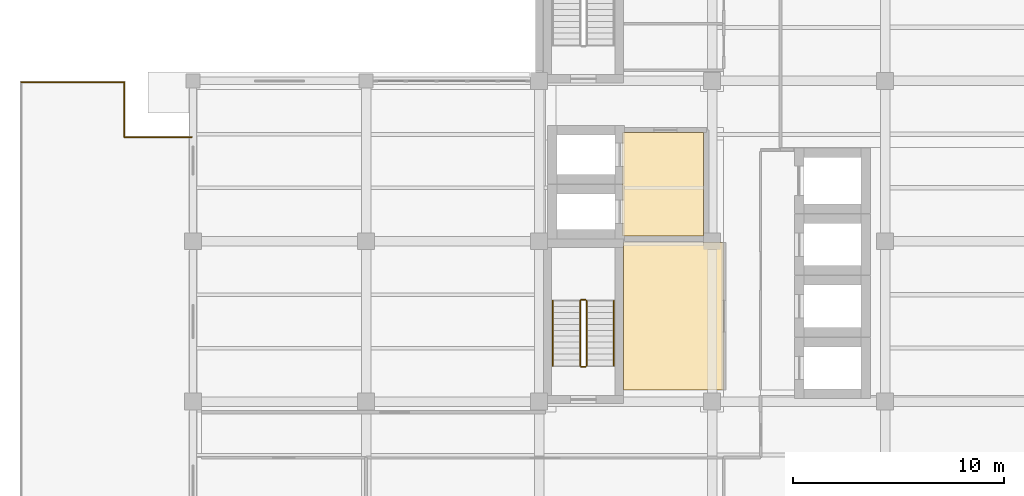
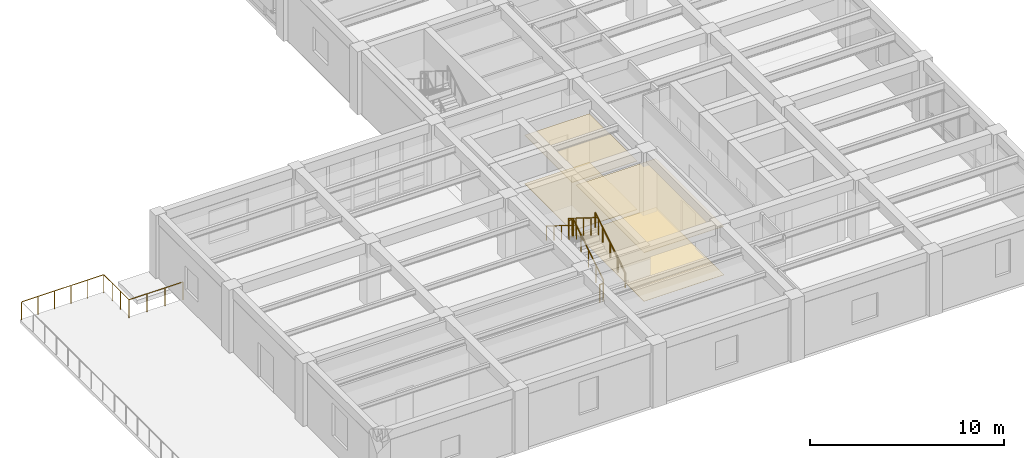
# One storey, part 11 of 14: 9 railings, 4 coverings.
"""IFC4 building model written with IfcOpenShell, lengths in metres."""

from ifc_helpers import new_model, si_unit, direction, frame, origin, origin_2d, place, context, subcontext, project, spatial, polyline, circle, outline, extrude, material, layer, layer_set, type_object, element, save


model = new_model("IFC4")

# Units and contexts
model_context = context("Model", 3, precision=1e-05, world=origin(), true_north=direction((0.0, 1.0)))
body_context = subcontext(model_context, "Body", "Model", "MODEL_VIEW")
ifc_project = project(units=[si_unit("LENGTHUNIT", "METRE"), si_unit("AREAUNIT", "SQUARE_METRE"), si_unit("VOLUMEUNIT", "CUBIC_METRE"), si_unit("PLANEANGLEUNIT", "RADIAN"), si_unit("MASSUNIT", "GRAM", prefix="KILO")], contexts=[model_context])

# Site, building, storey
site_placement = place(None, origin())
site = spatial("IfcSite", under=ifc_project, at=site_placement, CompositionType="ELEMENT")
building_placement = place(site_placement, origin())
building = spatial("IfcBuilding", under=site, at=building_placement, Name="Qandaris Square Conservatory and Botanical Centre", CompositionType="ELEMENT")
storey_placement = place(building_placement, frame((0.0, 0.0, 36.60009765625)))
storey = spatial("IfcBuildingStorey", under=building, at=storey_placement, Name="L08", CompositionType="ELEMENT", Elevation=36.60009765625)

# Coverings
ifc_material_1 = material(Name="Honed Qatari Limestone", Category="masonry")
ifc_layer_1 = layer(ifc_material_1, 0.030029296875)
ifc_layer_set_1 = layer_set([ifc_layer_1], Name="Honed Qatari Limestone")
covering_type_1 = type_object("IfcCoveringType", Name="Honed Qatari Limestone Concourse Paving", PredefinedType="FLOORING", material=ifc_layer_set_1)
covering_1_placement = place(storey_placement, origin())
element("IfcCovering", 1, at=covering_1_placement, inside=storey, type_object=covering_type_1, Name="Firefighting Lift Lobby L08 Flooring", PredefinedType="FLOORING", context=body_context, shape_type="SweptSolid", body=[
    extrude(outline(polyline([(143.14990234375, 36.949951171875), (147.0, 36.949951171875), (147.0, 32.050048828125), (143.14990234375, 32.050048828125), (143.14990234375, 36.949951171875)])), origin(), (0.0, 0.0, 1.0), 0.02978515625),
])
ifc_material_2 = material(Name="Gypsum Plasterboard", Category="gypsum")
ifc_layer_2 = layer(ifc_material_2, 0.02490234375)
ifc_layer_set_2 = layer_set([ifc_layer_2], Name="Gypsum Plasterboard")
covering_type_2 = type_object("IfcCoveringType", Name="Perforated Acoustic Lab Ceiling Tile", PredefinedType="CEILING", material=ifc_layer_set_2)
covering_2_placement = place(storey_placement, frame((0.0, 0.0, 3.0498046875)))
element("IfcCovering", 2, at=covering_2_placement, inside=storey, type_object=covering_type_2, Name="Firefighting Lift Lobby L08 Ceiling", PredefinedType="CEILING", context=body_context, shape_type="SweptSolid", body=[
    extrude(outline(polyline([(143.14990234375, 36.949951171875), (147.0, 36.949951171875), (147.0, 32.050048828125), (143.14990234375, 32.050048828125), (143.14990234375, 36.949951171875)])), origin(), (0.0, 0.0, 1.0), 0.025146484375),
])
covering_3_placement = place(storey_placement, frame((0.0, 0.0, 3.0498046875)))
element("IfcCovering", 3, at=covering_3_placement, inside=storey, type_object=covering_type_2, Name="Electrical and Telecom Riser Room L08 Ceiling", PredefinedType="CEILING", context=body_context, shape_type="SweptSolid", body=[
    extrude(outline(polyline([(147.949951171875, 31.75), (147.949951171875, 24.75), (143.199951171875, 24.75), (143.199951171875, 31.75), (147.949951171875, 31.75)])), origin(), (0.0, 0.0, 1.0), 0.025146484375),
])
ifc_material_3 = material(Name="Epoxy Resin Screed", Category="finish")
ifc_layer_3 = layer(ifc_material_3, 0.014892578125)
ifc_layer_set_3 = layer_set([ifc_layer_3], Name="Epoxy Resin Screed")
covering_type_3 = type_object("IfcCoveringType", Name="Seamless Epoxy Laboratory Flooring", PredefinedType="FLOORING", material=ifc_layer_set_3)
covering_4_placement = place(storey_placement, origin())
element("IfcCovering", 4, at=covering_4_placement, inside=storey, type_object=covering_type_3, Name="Electrical and Telecom Riser Room L08 Flooring", PredefinedType="FLOORING", context=body_context, shape_type="SweptSolid", body=[
    extrude(outline(polyline([(147.949951171875, 31.75), (147.949951171875, 24.75), (143.199951171875, 24.75), (143.199951171875, 31.75), (147.949951171875, 31.75)])), origin(), (0.0, 0.0, 1.0), 0.014892578125),
])

# Railings
ifc_material_4 = material(Name="Stainless Steel", Category="steel")
railing_type_1 = type_object("IfcRailingType", Name="Stair Tubular Handrail 920mm", PredefinedType="HANDRAIL", material=ifc_material_4)
railing_1_placement = place(storey_placement, frame((142.75, 25.89990234375, 0.349853515625)))
element("IfcRailing", 5, at=railing_1_placement, inside=storey, type_object=railing_type_1, Name="L08 ST-1 stair handrail 1", PredefinedType="HANDRAIL", context=body_context, shape_type="SweptSolid", body=[
    extrude(circle(Radius=0.02392578125, at=origin_2d()), frame((0.0, 0.0, 0.89599609375), z_axis=(0.0, 0.847998304005, 0.529998940003), x_axis=(-1.0, 0.0, 0.0)), (0.0, 0.0, 1.0), 3.632080078125),
    extrude(circle(Radius=0.02099609375, at=origin_2d()), origin(), (0.0, 0.0, 1.0), 0.871826171875),
    extrude(circle(Radius=0.02099609375, at=origin_2d()), frame((0.0, 0.77001953125, 0.481201171875)), (0.0, 0.0, 1.0), 0.871826171875),
    extrude(circle(Radius=0.02099609375, at=origin_2d()), frame((0.0, 1.5400390625, 0.96240234375)), (0.0, 0.0, 1.0), 0.871826171875),
    extrude(circle(Radius=0.02099609375, at=origin_2d()), frame((0.0, 2.31005859375, 1.44384765625)), (0.0, 0.0, 1.0), 0.871826171875),
    extrude(circle(Radius=0.02099609375, at=origin_2d()), frame((0.0, 3.080078125, 1.925048828125)), (0.0, 0.0, 1.0), 0.871826171875),
])
railing_2_placement = place(storey_placement, frame((139.85009765625, 28.97998046875, 2.449951171875)))
element("IfcRailing", 6, at=railing_2_placement, inside=storey, type_object=railing_type_1, Name="L08 ST-1 stair handrail 2", PredefinedType="HANDRAIL", context=body_context, shape_type="SweptSolid", body=[
    extrude(circle(Radius=0.02392578125, at=origin_2d()), frame((0.0, 0.0, 0.89599609375), z_axis=(0.0, -0.847998304005, 0.529998940003), x_axis=(1.0, 0.0, 0.0)), (0.0, 0.0, 1.0), 3.632080078125),
    extrude(circle(Radius=0.02099609375, at=origin_2d()), origin(), (0.0, 0.0, 1.0), 0.871826171875),
    extrude(circle(Radius=0.02099609375, at=origin_2d()), frame((0.0, -0.77001953125, 0.481201171875)), (0.0, 0.0, 1.0), 0.871826171875),
    extrude(circle(Radius=0.02099609375, at=origin_2d()), frame((0.0, -1.5400390625, 0.96240234375)), (0.0, 0.0, 1.0), 0.871826171875),
    extrude(circle(Radius=0.02099609375, at=origin_2d()), frame((0.0, -2.31005859375, 1.44384765625)), (0.0, 0.0, 1.0), 0.871826171875),
    extrude(circle(Radius=0.02099609375, at=origin_2d()), frame((0.0, -3.080078125, 1.925048828125)), (0.0, 0.0, 1.0), 0.871826171875),
])
railing_type_2 = type_object("IfcRailingType", Name="Stairwell & Atrium Guardrail 1120mm", PredefinedType="GUARDRAIL", material=ifc_material_4)
railing_3_placement = place(storey_placement, frame((141.449951171875, 25.89990234375, 0.1748046875)))
element("IfcRailing", 7, at=railing_3_placement, inside=storey, type_object=railing_type_2, Name="L08 ST-1 stair guard 1", PredefinedType="GUARDRAIL", context=body_context, shape_type="SweptSolid", body=[
    extrude(circle(Radius=0.02392578125, at=origin_2d()), frame((0.0, 0.0, 1.09619140625), z_axis=(0.0, 0.847998304005, 0.529998940003), x_axis=(-1.0, 0.0, 0.0)), (0.0, 0.0, 1.0), 3.632080078125),
    extrude(circle(Radius=0.02099609375, at=origin_2d()), origin(), (0.0, 0.0, 1.0), 1.072021484375),
    extrude(circle(Radius=0.02099609375, at=origin_2d()), frame((0.0, 0.77001953125, 0.481201171875)), (0.0, 0.0, 1.0), 1.072021484375),
    extrude(circle(Radius=0.02099609375, at=origin_2d()), frame((0.0, 1.5400390625, 0.96240234375)), (0.0, 0.0, 1.0), 1.072021484375),
    extrude(circle(Radius=0.02099609375, at=origin_2d()), frame((0.0, 2.31005859375, 1.44384765625)), (0.0, 0.0, 1.0), 1.072021484375),
    extrude(circle(Radius=0.02099609375, at=origin_2d()), frame((0.0, 3.080078125, 1.925048828125)), (0.0, 0.0, 1.0), 1.072021484375),
])
railing_4_placement = place(storey_placement, frame((141.39990234375, 29.030029296875, 2.099853515625)))
element("IfcRailing", 8, at=railing_4_placement, inside=storey, type_object=railing_type_2, Name="L08 ST-1 stair guard 2", PredefinedType="GUARDRAIL", context=body_context, shape_type="SweptSolid", body=[
    extrude(circle(Radius=0.02392578125, at=origin_2d()), frame((0.0, 0.0, 1.09619140625), z_axis=(-1.0, 0.0, 0.0), x_axis=(0.0, -1.0, 0.0)), (0.0, 0.0, 1.0), 0.199951171875),
    extrude(circle(Radius=0.02099609375, at=origin_2d()), origin(), (0.0, 0.0, 1.0), 1.072021484375),
    extrude(circle(Radius=0.02099609375, at=origin_2d()), frame((-0.199951171875, 0.0, 0.0)), (0.0, 0.0, 1.0), 1.072021484375),
])
railing_5_placement = place(storey_placement, frame((141.14990234375, 28.97998046875, 2.27490234375)))
element("IfcRailing", 9, at=railing_5_placement, inside=storey, type_object=railing_type_2, Name="L08 ST-1 stair guard 3", PredefinedType="GUARDRAIL", context=body_context, shape_type="SweptSolid", body=[
    extrude(circle(Radius=0.02392578125, at=origin_2d()), frame((0.0, 0.0, 1.09619140625), z_axis=(0.0, -0.847998304005, 0.529998940003), x_axis=(1.0, 0.0, 0.0)), (0.0, 0.0, 1.0), 3.632080078125),
    extrude(circle(Radius=0.02099609375, at=origin_2d()), origin(), (0.0, 0.0, 1.0), 1.072021484375),
    extrude(circle(Radius=0.02099609375, at=origin_2d()), frame((0.0, -0.77001953125, 0.481201171875)), (0.0, 0.0, 1.0), 1.072021484375),
    extrude(circle(Radius=0.02099609375, at=origin_2d()), frame((0.0, -1.5400390625, 0.96240234375)), (0.0, 0.0, 1.0), 1.072021484375),
    extrude(circle(Radius=0.02099609375, at=origin_2d()), frame((0.0, -2.31005859375, 1.44384765625)), (0.0, 0.0, 1.0), 1.072021484375),
    extrude(circle(Radius=0.02099609375, at=origin_2d()), frame((0.0, -3.080078125, 1.925048828125)), (0.0, 0.0, 1.0), 1.072021484375),
])
railing_6_placement = place(storey_placement, frame((141.39990234375, 25.85009765625, 0.0)))
element("IfcRailing", 10, at=railing_6_placement, inside=storey, type_object=railing_type_2, Name="L08 ST-1 stair guard 4", PredefinedType="GUARDRAIL", context=body_context, shape_type="SweptSolid", body=[
    extrude(circle(Radius=0.02392578125, at=origin_2d()), frame((0.0, 0.0, 1.09619140625), z_axis=(-1.0, 0.0, 0.0), x_axis=(0.0, -1.0, 0.0)), (0.0, 0.0, 1.0), 0.199951171875),
    extrude(circle(Radius=0.02099609375, at=origin_2d()), origin(), (0.0, 0.0, 1.0), 1.072021484375),
    extrude(circle(Radius=0.02099609375, at=origin_2d()), frame((-0.199951171875, 0.0, 0.0)), (0.0, 0.0, 1.0), 1.072021484375),
])
ifc_material_5 = material(Name="Weathering Bronze Alloy", Category="metal")
railing_type_3 = type_object("IfcRailingType", Name="Terrace Perimeter Prairie Guardrail 1150mm", PredefinedType="GUARDRAIL", material=ifc_material_5)
railing_7_placement = place(storey_placement, frame((114.659912109375, 39.340087890625, 0.0)))
element("IfcRailing", 11, at=railing_7_placement, inside=storey, type_object=railing_type_3, Name="Square Overlook Setback Terrace L08 Guardrail 3", PredefinedType="GUARDRAIL", context=body_context, shape_type="SweptSolid", body=[
    extrude(circle(Radius=0.02392578125, at=origin_2d()), frame((0.0, 0.0, 1.1259765625), z_axis=(1.0, 0.0, 0.0), x_axis=(0.0, 1.0, 0.0)), (0.0, 0.0, 1.0), 4.880126953125),
    extrude(circle(Radius=0.02099609375, at=origin_2d()), origin(), (0.0, 0.0, 1.0), 1.101806640625),
    extrude(circle(Radius=0.02099609375, at=origin_2d()), frame((0.97607421875, 0.0, 0.0)), (0.0, 0.0, 1.0), 1.101806640625),
    extrude(circle(Radius=0.02099609375, at=origin_2d()), frame((1.9521484375, 0.0, 0.0)), (0.0, 0.0, 1.0), 1.101806640625),
    extrude(circle(Radius=0.02099609375, at=origin_2d()), frame((2.927978515625, 0.0, 0.0)), (0.0, 0.0, 1.0), 1.101806640625),
    extrude(circle(Radius=0.02099609375, at=origin_2d()), frame((3.904052734375, 0.0, 0.0)), (0.0, 0.0, 1.0), 1.101806640625),
    extrude(circle(Radius=0.02099609375, at=origin_2d()), frame((4.880126953125, 0.0, 0.0)), (0.0, 0.0, 1.0), 1.101806640625),
])
railing_8_placement = place(storey_placement, frame((119.5400390625, 39.340087890625, 0.0)))
element("IfcRailing", 12, at=railing_8_placement, inside=storey, type_object=railing_type_3, Name="Square Overlook Setback Terrace L08 Guardrail 4", PredefinedType="GUARDRAIL", context=body_context, shape_type="SweptSolid", body=[
    extrude(circle(Radius=0.02392578125, at=origin_2d()), frame((0.0, 0.0, 1.1259765625), z_axis=(0.0, -1.0, 0.0), x_axis=(1.0, 0.0, 0.0)), (0.0, 0.0, 1.0), 2.60009765625),
    extrude(circle(Radius=0.02099609375, at=origin_2d()), origin(), (0.0, 0.0, 1.0), 1.101806640625),
    extrude(circle(Radius=0.02099609375, at=origin_2d()), frame((0.0, -0.86669921875, 0.0)), (0.0, 0.0, 1.0), 1.101806640625),
    extrude(circle(Radius=0.02099609375, at=origin_2d()), frame((0.0, -1.7333984375, 0.0)), (0.0, 0.0, 1.0), 1.101806640625),
    extrude(circle(Radius=0.02099609375, at=origin_2d()), frame((0.0, -2.60009765625, 0.0)), (0.0, 0.0, 1.0), 1.101806640625),
])
railing_9_placement = place(storey_placement, frame((119.5400390625, 36.739990234375, 0.0)))
element("IfcRailing", 13, at=railing_9_placement, inside=storey, type_object=railing_type_3, Name="Square Overlook Setback Terrace L08 Guardrail 5", PredefinedType="GUARDRAIL", context=body_context, shape_type="SweptSolid", body=[
    extrude(circle(Radius=0.02392578125, at=origin_2d()), frame((0.0, 0.0, 1.1259765625), z_axis=(1.0, 0.0, 0.0), x_axis=(0.0, 1.0, 0.0)), (0.0, 0.0, 1.0), 3.199951171875),
    extrude(circle(Radius=0.02099609375, at=origin_2d()), origin(), (0.0, 0.0, 1.0), 1.101806640625),
    extrude(circle(Radius=0.02099609375, at=origin_2d()), frame((1.066650390625, 0.0, 0.0)), (0.0, 0.0, 1.0), 1.101806640625),
    extrude(circle(Radius=0.02099609375, at=origin_2d()), frame((2.13330078125, 0.0, 0.0)), (0.0, 0.0, 1.0), 1.101806640625),
    extrude(circle(Radius=0.02099609375, at=origin_2d()), frame((3.199951171875, 0.0, 0.0)), (0.0, 0.0, 1.0), 1.101806640625),
])

save(model, "model.ifc")
